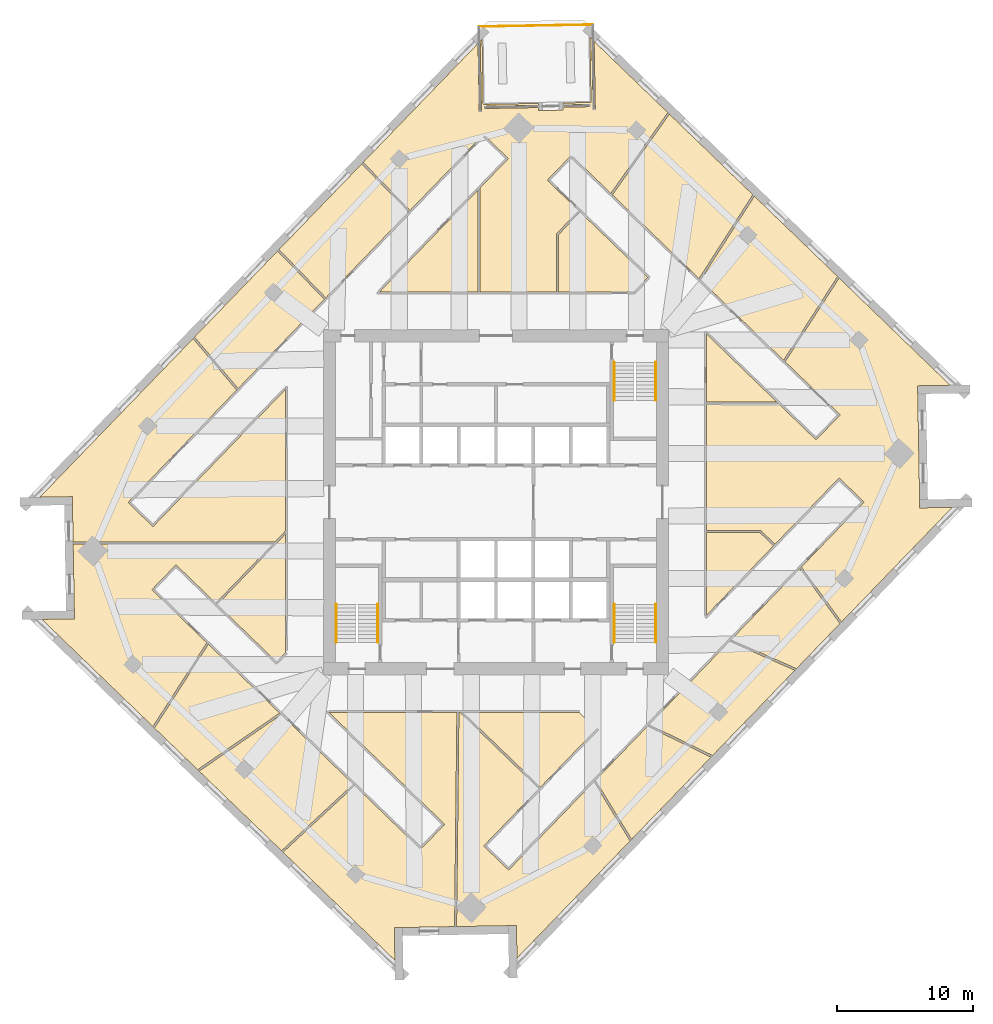
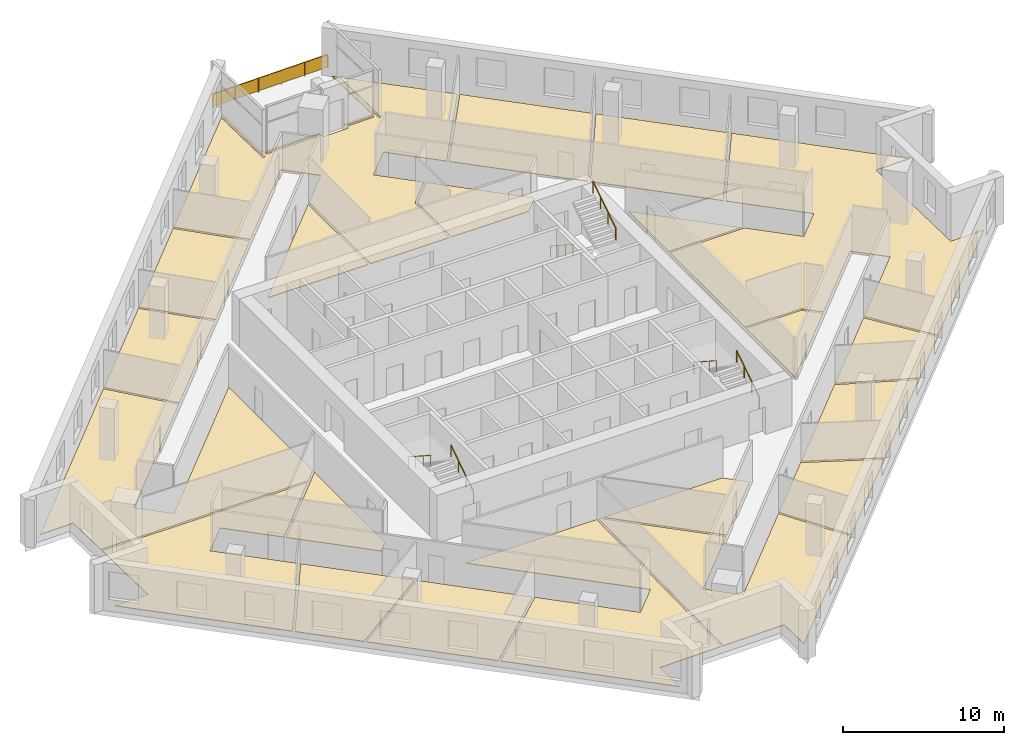
# One storey, part 12 of 13: 21 coverings, 7 railings.
"""IFC4 building model written with IfcOpenShell, lengths in metres."""

from ifc_helpers import new_model, si_unit, direction, frame, origin, origin_2d, place, context, subcontext, project, spatial, polyline, rectangle, circle, outline, extrude, material, layer, layer_set, type_object, element, save


model = new_model("IFC4")

# Units and contexts
model_context = context("Model", 3, precision=1e-05, world=origin(), true_north=direction((0.0, 1.0)))
body_context = subcontext(model_context, "Body", "Model", "MODEL_VIEW")
ifc_project = project(units=[si_unit("LENGTHUNIT", "METRE"), si_unit("AREAUNIT", "SQUARE_METRE"), si_unit("VOLUMEUNIT", "CUBIC_METRE"), si_unit("PLANEANGLEUNIT", "RADIAN"), si_unit("MASSUNIT", "GRAM", prefix="KILO")], contexts=[model_context])

# Site, building, storey
site_placement = place(None, origin())
site = spatial("IfcSite", under=ifc_project, at=site_placement, CompositionType="ELEMENT")
building_placement = place(site_placement, origin())
building = spatial("IfcBuilding", under=site, at=building_placement, Name="Dilmun Exchange Tower", CompositionType="ELEMENT")
storey_placement = place(building_placement, frame((0.0, 0.0, 209.300048828125)))
storey = spatial("IfcBuildingStorey", under=building, at=storey_placement, Name="L49", CompositionType="ELEMENT", Elevation=209.300048828125)

# Coverings
ifc_material_1 = material(Name="Carpet floor finish 50")
ifc_layer_1 = layer(ifc_material_1, 0.050048828125)
ifc_layer_set_1 = layer_set([ifc_layer_1], Name="Carpet floor finish 50")
covering_type_1 = type_object("IfcCoveringType", Name="Carpet floor finish 50", PredefinedType="FLOORING", material=ifc_layer_set_1)
covering_1_placement = place(storey_placement, origin())
element("IfcCovering", 1, at=covering_1_placement, inside=storey, type_object=covering_type_1, Name="Carpet floor finish 50 Members library", PredefinedType="FLOORING", context=body_context, shape_type="SweptSolid", body=[
    extrude(outline(polyline([(-23.539794921875, -4.594482421875), (-25.311279296875, -6.428955078125), (-21.268310546875, -10.333251953125), (-25.23681640625, -16.497314453125), (-33.4033203125, -8.61083984375), (-31.010498046875, -8.569091796875), (-31.01025390625, -8.569091796875), (-31.010009765625, -8.569091796875), (-31.010009765625, -8.569091796875), (-31.009765625, -8.569091796875), (-31.009521484375, -8.56884765625), (-31.009521484375, -8.56884765625), (-31.00927734375, -8.568603515625), (-31.009033203125, -8.568603515625), (-31.009033203125, -8.568359375), (-31.0087890625, -8.568115234375), (-31.0087890625, -8.568115234375), (-31.0087890625, -8.56787109375), (-31.008544921875, -8.567626953125), (-31.008544921875, -8.5673828125), (-31.008544921875, -8.5673828125), (-31.008544921875, -8.567138671875), (-31.01904296875, -7.96728515625), (-31.01904296875, -7.967041015625), (-31.01904296875, -7.967041015625), (-31.1044921875, -3.06982421875), (-16.412353515625, -3.06982421875), (-20.61376953125, -7.42041015625), (-23.539794921875, -4.594482421875)])), origin(), (0.0, 0.0, 1.0), 0.050048828125),
])
covering_2_placement = place(storey_placement, origin())
element("IfcCovering", 2, at=covering_2_placement, inside=storey, type_object=covering_type_1, Name="Carpet floor finish 50 Club dining room", PredefinedType="FLOORING", context=body_context, shape_type="SweptSolid", body=[
    extrude(outline(polyline([(-16.267333984375, -2.919921875), (-31.107177734375, -2.919921875), (-31.15478515625, -0.190185546875), (-31.15478515625, -0.18994140625), (-31.15478515625, -0.18994140625), (-31.165283203125, 0.40966796875), (-31.165283203125, 0.409912109375), (-31.165283203125, 0.41015625), (-31.165283203125, 0.410400390625), (-31.165283203125, 0.410400390625), (-31.16552734375, 0.41064453125), (-31.16552734375, 0.410888671875), (-31.165771484375, 0.410888671875), (-31.165771484375, 0.4111328125), (-31.166015625, 0.4111328125), (-31.166259765625, 0.411376953125), (-31.166259765625, 0.411376953125), (-31.16650390625, 0.41162109375), (-31.166748046875, 0.41162109375), (-31.1669921875, 0.41162109375), (-31.1669921875, 0.41162109375), (-31.167236328125, 0.41162109375), (-33.559814453125, 0.369873046875), (-22.28515625, 12.04541015625), (-19.07421875, 8.2578125), (-27.06640625, -0.01806640625), (-25.23193359375, -1.78955078125), (-15.47509765625, 8.314208984375), (-15.47509765625, -2.09912109375), (-16.267333984375, -2.919921875)])), origin(), (0.0, 0.0, 1.0), 0.050048828125),
])
covering_3_placement = place(storey_placement, origin())
element("IfcCovering", 3, at=covering_3_placement, inside=storey, type_object=covering_type_1, Name="Carpet floor finish 50 Meeting room 1", PredefinedType="FLOORING", context=body_context, shape_type="SweptSolid", body=[
    extrude(outline(polyline([(-21.158203125, -10.439453125), (-15.913818359375, -15.50390625), (-21.94970703125, -19.67138671875), (-25.126708984375, -16.603515625), (-21.158203125, -10.439453125)])), origin(), (0.0, 0.0, 1.0), 0.050048828125),
])
covering_4_placement = place(storey_placement, origin())
element("IfcCovering", 4, at=covering_4_placement, inside=storey, type_object=covering_type_1, Name="Carpet floor finish 50 Meeting room 2", PredefinedType="FLOORING", context=body_context, shape_type="SweptSolid", body=[
    extrude(outline(polyline([(-12.62939453125, 14.931884765625), (-18.969482421875, 8.3662109375), (-22.180419921875, 12.15380859375), (-16.069091796875, 18.482421875), (-12.62939453125, 14.931884765625)])), origin(), (0.0, 0.0, 1.0), 0.050048828125),
])
covering_5_placement = place(storey_placement, origin())
element("IfcCovering", 5, at=covering_5_placement, inside=storey, type_object=covering_type_1, Name="Carpet floor finish 50 Business centre 1", PredefinedType="FLOORING", context=body_context, shape_type="SweptSolid", body=[
    extrude(outline(polyline([(-10.498291015625, -20.733642578125), (-15.776611328125, -25.6328125), (-21.839599609375, -19.77783203125), (-15.803955078125, -15.610107421875), (-10.498291015625, -20.733642578125)])), origin(), (0.0, 0.0, 1.0), 0.050048828125),
])
covering_6_placement = place(storey_placement, origin())
element("IfcCovering", 6, at=covering_6_placement, inside=storey, type_object=covering_type_1, Name="Carpet floor finish 50 Serviced office 1", PredefinedType="FLOORING", context=body_context, shape_type="SweptSolid", body=[
    extrude(outline(polyline([(-6.427490234375, 21.35400390625), (-12.525146484375, 15.039794921875), (-15.964599609375, 18.59033203125), (-9.87890625, 24.892578125), (-6.427490234375, 21.35400390625)])), origin(), (0.0, 0.0, 1.0), 0.050048828125),
])
covering_7_placement = place(storey_placement, origin())
element("IfcCovering", 7, at=covering_7_placement, inside=storey, type_object=covering_type_1, Name="Carpet floor finish 50 Members lounge", PredefinedType="FLOORING", context=body_context, shape_type="SweptSolid", body=[
    extrude(outline(polyline([(-10.39013671875, -20.837890625), (-5.54150390625, -25.520263671875), (-3.770263671875, -23.68603515625), (-12.27294921875, -15.47509765625), (-2.879638671875, -15.47509765625), (-3.04931640625, -31.211181640625), (-6.8798828125, -31.278076171875), (-6.8798828125, -31.2783203125), (-6.8798828125, -31.2783203125), (-7.479736328125, -31.28857421875), (-7.47998046875, -31.28857421875), (-7.47998046875, -31.288818359375), (-7.480224609375, -31.288818359375), (-7.48046875, -31.288818359375), (-7.480712890625, -31.288818359375), (-7.480712890625, -31.2890625), (-7.48095703125, -31.2890625), (-7.481201171875, -31.289306640625), (-7.481201171875, -31.289306640625), (-7.481201171875, -31.28955078125), (-7.4814453125, -31.289794921875), (-7.4814453125, -31.289794921875), (-7.481689453125, -31.2900390625), (-7.481689453125, -31.290283203125), (-7.481689453125, -31.29052734375), (-7.481689453125, -31.290771484375), (-7.43994140625, -33.683349609375), (-15.66845703125, -25.737060546875), (-10.39013671875, -20.837890625)])), origin(), (0.0, 0.0, 1.0), 0.050048828125),
])
covering_8_placement = place(storey_placement, origin())
element("IfcCovering", 8, at=covering_8_placement, inside=storey, type_object=covering_type_1, Name="Carpet floor finish 50 Garden lounge", PredefinedType="FLOORING", context=body_context, shape_type="SweptSolid", body=[
    extrude(outline(polyline([(0.90771484375, 25.279052734375), (-0.926513671875, 27.05029296875), (-6.3232421875, 21.4619140625), (-9.774658203125, 25.00048828125), (-1.32470703125, 33.75048828125), (-1.2373046875, 28.73828125), (-1.2373046875, 28.738037109375), (-1.2373046875, 28.73779296875), (-1.2373046875, 28.737548828125), (-1.237060546875, 28.7373046875), (-1.237060546875, 28.7373046875), (-1.23681640625, 28.737060546875), (-1.23681640625, 28.73681640625), (-1.23681640625, 28.73681640625), (-1.236572265625, 28.736572265625), (-1.236328125, 28.736572265625), (-1.236083984375, 28.736328125), (-1.236083984375, 28.736328125), (-1.23583984375, 28.736328125), (-1.235595703125, 28.736083984375), (-1.2353515625, 28.736083984375), (-1.2353515625, 28.736083984375), (-1.0751953125, 28.739013671875), (-1.0751953125, 28.739013671875), (-1.074951171875, 28.739013671875), (-1.07470703125, 28.739013671875), (-1.074462890625, 28.7392578125), (-1.07421875, 28.7392578125), (-1.07421875, 28.739501953125), (-1.073974609375, 28.739501953125), (-1.073974609375, 28.739501953125), (-1.07373046875, 28.73974609375), (-1.073486328125, 28.739990234375), (-1.073486328125, 28.739990234375), (-1.073486328125, 28.740234375), (-1.073486328125, 28.740478515625), (-1.0732421875, 28.740478515625), (-1.0732421875, 28.74072265625), (-1.0732421875, 28.740966796875), (-1.163818359375, 33.91748046875), (-1.023193359375, 34.062744140625), (-0.939453125, 29.268310546875), (3.1220703125, 29.33935546875), (3.12451171875, 29.1962890625), (-0.862060546875, 29.126708984375), (-0.8623046875, 29.126708984375), (-0.8623046875, 29.126708984375), (-0.862548828125, 29.126708984375), (-0.86279296875, 29.12646484375), (-0.863037109375, 29.12646484375), (-0.863037109375, 29.126220703125), (-0.86328125, 29.126220703125), (-0.86328125, 29.126220703125), (-0.863525390625, 29.1259765625), (-0.86376953125, 29.125732421875), (-0.86376953125, 29.12548828125), (-0.864013671875, 29.12548828125), (-0.864013671875, 29.125244140625), (-0.864013671875, 29.125), (-0.864013671875, 29.124755859375), (-0.864013671875, 29.124755859375), (-0.861083984375, 28.964599609375), (-0.861083984375, 28.964599609375), (-0.861083984375, 28.96435546875), (-0.861083984375, 28.964111328125), (-0.861083984375, 28.9638671875), (-0.86083984375, 28.963623046875), (-0.86083984375, 28.963623046875), (-0.860595703125, 28.96337890625), (-0.860595703125, 28.96337890625), (-0.8603515625, 28.963134765625), (-0.8603515625, 28.962890625), (-0.860107421875, 28.962890625), (-0.85986328125, 28.962890625), (-0.859619140625, 28.962890625), (-0.859619140625, 28.962646484375), (-0.859375, 28.962646484375), (-0.859130859375, 28.962646484375), (3.127197265625, 29.032470703125), (3.131103515625, 28.814453125), (3.131103515625, 28.814208984375), (3.131103515625, 28.81396484375), (3.131103515625, 28.813720703125), (3.13134765625, 28.813720703125), (3.13134765625, 28.8134765625), (3.131591796875, 28.813232421875), (3.131591796875, 28.813232421875), (3.131591796875, 28.81298828125), (3.1318359375, 28.81298828125), (3.132080078125, 28.812744140625), (3.132080078125, 28.812744140625), (3.13232421875, 28.8125), (3.132568359375, 28.8125), (3.1328125, 28.8125), (3.133056640625, 28.8125), (3.13330078125, 28.8125), (4.932861328125, 28.84375), (4.93310546875, 28.843994140625), (4.933349609375, 28.843994140625), (4.933349609375, 28.843994140625), (4.93359375, 28.843994140625), (4.933837890625, 28.843994140625), (4.93408203125, 28.84423828125), (4.93408203125, 28.84423828125), (4.934326171875, 28.844482421875), (4.934326171875, 28.844482421875), (4.9345703125, 28.8447265625), (4.9345703125, 28.844970703125), (4.934814453125, 28.84521484375), (4.934814453125, 28.84521484375), (4.934814453125, 28.845458984375), (4.934814453125, 28.845703125), (4.934814453125, 28.845947265625), (4.930908203125, 29.063720703125), (6.917724609375, 29.098388671875), (6.91796875, 29.098388671875), (6.918212890625, 29.0986328125), (6.91845703125, 29.0986328125), (6.918701171875, 29.0986328125), (6.918701171875, 29.098876953125), (6.9189453125, 29.098876953125), (6.919189453125, 29.09912109375), (6.919189453125, 29.09912109375), (6.91943359375, 29.099365234375), (6.91943359375, 29.099365234375), (6.919677734375, 29.099609375), (6.919677734375, 29.099853515625), (6.919677734375, 29.10009765625), (6.919921875, 29.10009765625), (6.919921875, 29.100341796875), (6.919921875, 29.1005859375), (6.9169921875, 29.260498046875), (6.9169921875, 29.2607421875), (6.9169921875, 29.260986328125), (6.9169921875, 29.260986328125), (6.916748046875, 29.26123046875), (6.916748046875, 29.261474609375), (6.91650390625, 29.26171875), (6.91650390625, 29.26171875), (6.91650390625, 29.261962890625), (6.916259765625, 29.26220703125), (6.916015625, 29.26220703125), (6.916015625, 29.26220703125), (6.915771484375, 29.26220703125), (6.91552734375, 29.262451171875), (6.915283203125, 29.262451171875), (6.915283203125, 29.262451171875), (6.9150390625, 29.262451171875), (4.92822265625, 29.227783203125), (4.92578125, 29.370849609375), (6.987548828125, 29.40673828125), (6.90380859375, 34.201171875), (7.04931640625, 34.060546875), (7.1396484375, 28.884521484375), (7.1396484375, 28.88427734375), (7.1396484375, 28.884033203125), (7.1396484375, 28.8837890625), (7.139892578125, 28.883544921875), (7.139892578125, 28.88330078125), (7.139892578125, 28.88330078125), (7.14013671875, 28.883056640625), (7.14013671875, 28.883056640625), (7.140380859375, 28.8828125), (7.140380859375, 28.8828125), (7.140625, 28.882568359375), (7.140869140625, 28.882568359375), (7.14111328125, 28.882568359375), (7.141357421875, 28.88232421875), (7.1416015625, 28.88232421875), (7.1416015625, 28.88232421875), (7.301513671875, 28.88525390625), (7.3017578125, 28.88525390625), (7.302001953125, 28.88525390625), (7.30224609375, 28.88525390625), (7.302490234375, 28.885498046875), (7.302490234375, 28.885498046875), (7.302734375, 28.885498046875), (7.302978515625, 28.8857421875), (7.302978515625, 28.8857421875), (7.30322265625, 28.885986328125), (7.30322265625, 28.885986328125), (7.303466796875, 28.88623046875), (7.303466796875, 28.886474609375), (7.303466796875, 28.88671875), (7.3037109375, 28.88671875), (7.3037109375, 28.886962890625), (7.3037109375, 28.88720703125), (7.216064453125, 33.8994140625), (12.639892578125, 28.661865234375), (8.444580078125, 22.716796875), (5.54150390625, 25.520263671875), (3.770263671875, 23.68603515625), (6.08740234375, 21.4482421875), (4.459228515625, 19.762451171875), (4.459228515625, 15.47509765625), (-1.1845703125, 15.47509765625), (-1.1845703125, 23.1123046875), (0.90771484375, 25.279052734375)])), origin(), (0.0, 0.0, 1.0), 0.050048828125),
])
covering_9_placement = place(storey_placement, origin())
element("IfcCovering", 9, at=covering_9_placement, inside=storey, type_object=covering_type_1, Name="Carpet floor finish 50 Cafe", PredefinedType="FLOORING", context=body_context, shape_type="SweptSolid", body=[
    extrude(outline(polyline([(7.2001953125, -20.553955078125), (9.8662109375, -24.905517578125), (1.541015625, -33.526611328125), (1.499267578125, -31.1337890625), (1.4990234375, -31.1337890625), (1.4990234375, -31.133544921875), (1.4990234375, -31.13330078125), (1.4990234375, -31.13330078125), (1.498779296875, -31.133056640625), (1.498779296875, -31.1328125), (1.498779296875, -31.1328125), (1.49853515625, -31.132568359375), (1.498291015625, -31.13232421875), (1.498291015625, -31.13232421875), (1.498046875, -31.132080078125), (1.497802734375, -31.132080078125), (1.497802734375, -31.132080078125), (1.49755859375, -31.132080078125), (1.497314453125, -31.132080078125), (1.4970703125, -31.132080078125), (0.897216796875, -31.142333984375), (0.89697265625, -31.142333984375), (0.89697265625, -31.142578125), (-2.8994140625, -31.208740234375), (-2.729736328125, -15.47509765625), (-2.629638671875, -15.47509765625), (3.160400390625, -21.06640625), (-0.90771484375, -25.279052734375), (0.926513671875, -27.05029296875), (7.2001953125, -20.553955078125)])), origin(), (0.0, 0.0, 1.0), 0.050048828125),
])
covering_10_placement = place(storey_placement, origin())
element("IfcCovering", 10, at=covering_10_placement, inside=storey, type_object=covering_type_1, Name="Carpet floor finish 50 Business centre 2", PredefinedType="FLOORING", context=body_context, shape_type="SweptSolid", body=[
    extrude(outline(polyline([(10.147705078125, 15.47509765625), (4.609130859375, 15.47509765625), (4.609130859375, 19.701904296875), (6.1953125, 21.343994140625), (11.17333984375, 16.536865234375), (10.147705078125, 15.47509765625)])), origin(), (0.0, 0.0, 1.0), 0.050048828125),
])
covering_11_placement = place(storey_placement, origin())
element("IfcCovering", 11, at=covering_11_placement, inside=storey, type_object=covering_type_1, Name="Carpet floor finish 50 Serviced office 2", PredefinedType="FLOORING", context=body_context, shape_type="SweptSolid", body=[
    extrude(outline(polyline([(15.81591796875, -18.74462890625), (9.973876953125, -24.794189453125), (7.307861328125, -20.4423828125), (11.14599609375, -16.4677734375), (15.81591796875, -18.74462890625)])), origin(), (0.0, 0.0, 1.0), 0.050048828125),
])
covering_12_placement = place(storey_placement, origin())
element("IfcCovering", 12, at=covering_12_placement, inside=storey, type_object=covering_type_1, Name="Carpet floor finish 50 Serviced office 3", PredefinedType="FLOORING", context=body_context, shape_type="SweptSolid", body=[
    extrude(outline(polyline([(14.931396484375, 16.45263671875), (8.5537109375, 22.611328125), (12.7490234375, 28.556396484375), (18.89306640625, 22.623291015625), (14.931396484375, 16.45263671875)])), origin(), (0.0, 0.0, 1.0), 0.050048828125),
])
covering_13_placement = place(storey_placement, origin())
element("IfcCovering", 13, at=covering_13_placement, inside=storey, type_object=covering_type_1, Name="Carpet floor finish 50 Serviced office 4", PredefinedType="FLOORING", context=body_context, shape_type="SweptSolid", body=[
    extrude(outline(polyline([(11.255615234375, -16.354248046875), (17.171630859375, -10.22802734375), (21.986572265625, -12.3544921875), (15.92529296875, -18.631103515625), (11.255615234375, -16.354248046875)])), origin(), (0.0, 0.0, 1.0), 0.050048828125),
])
covering_14_placement = place(storey_placement, origin())
element("IfcCovering", 14, at=covering_14_placement, inside=storey, type_object=covering_type_1, Name="Carpet floor finish 50 Business centre 3", PredefinedType="FLOORING", context=body_context, shape_type="SweptSolid", body=[
    extrude(outline(polyline([(15.47509765625, -2.2373046875), (19.42333984375, -2.2373046875), (20.416748046875, -3.19677734375), (15.47509765625, -8.314208984375), (15.47509765625, -2.2373046875)])), origin(), (0.0, 0.0, 1.0), 0.050048828125),
])
covering_15_placement = place(storey_placement, origin())
element("IfcCovering", 15, at=covering_15_placement, inside=storey, type_object=covering_type_1, Name="Carpet floor finish 50 Business centre 4", PredefinedType="FLOORING", context=body_context, shape_type="SweptSolid", body=[
    extrude(outline(polyline([(17.28271484375, -10.113037109375), (22.345703125, -4.870361328125), (25.30419921875, -8.9189453125), (22.097412109375, -12.239501953125), (17.28271484375, -10.113037109375)])), origin(), (0.0, 0.0, 1.0), 0.050048828125),
])
covering_16_placement = place(storey_placement, origin())
element("IfcCovering", 16, at=covering_16_placement, inside=storey, type_object=covering_type_1, Name="Carpet floor finish 50 Co-working hall", PredefinedType="FLOORING", context=body_context, shape_type="SweptSolid", body=[
    extrude(outline(polyline([(23.539794921875, 4.594482421875), (25.311279296875, 6.428955078125), (21.2626953125, 10.338623046875), (25.236328125, 16.497802734375), (33.4033203125, 8.61083984375), (31.010498046875, 8.569091796875), (31.01025390625, 8.569091796875), (31.010009765625, 8.569091796875), (31.010009765625, 8.569091796875), (31.009765625, 8.569091796875), (31.009521484375, 8.56884765625), (31.009521484375, 8.56884765625), (31.00927734375, 8.568603515625), (31.009033203125, 8.568603515625), (31.009033203125, 8.568359375), (31.0087890625, 8.568115234375), (31.0087890625, 8.568115234375), (31.0087890625, 8.56787109375), (31.008544921875, 8.567626953125), (31.008544921875, 8.5673828125), (31.008544921875, 8.5673828125), (31.008544921875, 8.567138671875), (31.01904296875, 7.96728515625), (31.01904296875, 7.967041015625), (31.01904296875, 7.967041015625), (31.15478515625, 0.190185546875), (31.15478515625, 0.18994140625), (31.15478515625, 0.18994140625), (31.165283203125, -0.40966796875), (31.165283203125, -0.409912109375), (31.165283203125, -0.41015625), (31.165283203125, -0.410400390625), (31.165283203125, -0.410400390625), (31.16552734375, -0.41064453125), (31.16552734375, -0.410888671875), (31.165771484375, -0.410888671875), (31.165771484375, -0.4111328125), (31.166015625, -0.4111328125), (31.166259765625, -0.411376953125), (31.166259765625, -0.411376953125), (31.16650390625, -0.41162109375), (31.166748046875, -0.41162109375), (31.1669921875, -0.41162109375), (31.1669921875, -0.41162109375), (31.167236328125, -0.41162109375), (33.559814453125, -0.369873046875), (25.409912109375, -8.809326171875), (22.451416015625, -4.7607421875), (27.06640625, 0.01806640625), (25.23193359375, 1.78955078125), (20.52099609375, -3.0888671875), (19.48388671875, -2.087158203125), (15.47509765625, -2.087158203125), (15.47509765625, 7.21826171875), (20.822998046875, 7.21826171875), (23.539794921875, 4.594482421875)])), origin(), (0.0, 0.0, 1.0), 0.050048828125),
])

# Railings
ifc_material_2 = material(Name="Stainless steel", Category="steel")
railing_type_1 = type_object("IfcRailingType", Name="Stair handrail 900", PredefinedType="HANDRAIL", material=ifc_material_2)
railing_1_placement = place(storey_placement, frame((8.699951171875, 10.300048828125, 0.181884765625)))
element("IfcRailing", 17, at=railing_1_placement, inside=storey, type_object=railing_type_1, Name="L49 ST1 stair handrail 1", PredefinedType="HANDRAIL", context=body_context, shape_type="SweptSolid", body=[
    extrude(circle(Radius=0.02392578125, at=origin_2d()), frame((0.0, 0.0, 0.8759765625), z_axis=(0.0, -0.838705829183, 0.544584733623), x_axis=(1.0, 0.0, 0.0)), (0.0, 0.0, 1.0), 3.338623046875),
    extrude(circle(Radius=0.02099609375, at=origin_2d()), origin(), (0.0, 0.0, 1.0), 0.851806640625),
    extrude(circle(Radius=0.02099609375, at=origin_2d()), frame((0.0, -0.933349609375, 0.60595703125)), (0.0, 0.0, 1.0), 0.851806640625),
    extrude(circle(Radius=0.02099609375, at=origin_2d()), frame((0.0, -1.86669921875, 1.212158203125)), (0.0, 0.0, 1.0), 0.851806640625),
    extrude(circle(Radius=0.02099609375, at=origin_2d()), frame((0.0, -2.800048828125, 1.818115234375)), (0.0, 0.0, 1.0), 0.851806640625),
])
for number, where, name in (
    (18, (11.75, 7.5, 2.181884765625), "L49 ST1 stair handrail 2"),
    (19, (-8.699951171875, -10.300048828125, 0.181884765625), "L49 ST2 stair handrail 1"),
):
    element("IfcRailing", number, at=place(storey_placement, frame(where)), inside=storey, type_object=railing_type_1, Name=name, PredefinedType="HANDRAIL", context=body_context, shape_type="SweptSolid", body=[
        extrude(circle(Radius=0.02392578125, at=origin_2d()), frame((0.0, 0.0, 0.8759765625), z_axis=(0.0, 0.838705829183, 0.544584733623), x_axis=(-1.0, 0.0, 0.0)), (0.0, 0.0, 1.0), 3.338623046875),
        extrude(circle(Radius=0.02099609375, at=origin_2d()), origin(), (0.0, 0.0, 1.0), 0.851806640625),
        extrude(circle(Radius=0.02099609375, at=origin_2d()), frame((0.0, 0.933349609375, 0.60595703125)), (0.0, 0.0, 1.0), 0.851806640625),
        extrude(circle(Radius=0.02099609375, at=origin_2d()), frame((0.0, 1.86669921875, 1.212158203125)), (0.0, 0.0, 1.0), 0.851806640625),
        extrude(circle(Radius=0.02099609375, at=origin_2d()), frame((0.0, 2.800048828125, 1.818115234375)), (0.0, 0.0, 1.0), 0.851806640625),
    ])
railing_2_placement = place(storey_placement, frame((-11.75, -7.5, 2.181884765625)))
element("IfcRailing", 20, at=railing_2_placement, inside=storey, type_object=railing_type_1, Name="L49 ST2 stair handrail 2", PredefinedType="HANDRAIL", context=body_context, shape_type="SweptSolid", body=[
    extrude(circle(Radius=0.02392578125, at=origin_2d()), frame((0.0, 0.0, 0.8759765625), z_axis=(0.0, -0.838705829183, 0.544584733623), x_axis=(1.0, 0.0, 0.0)), (0.0, 0.0, 1.0), 3.338623046875),
    extrude(circle(Radius=0.02099609375, at=origin_2d()), origin(), (0.0, 0.0, 1.0), 0.851806640625),
    extrude(circle(Radius=0.02099609375, at=origin_2d()), frame((0.0, -0.933349609375, 0.60595703125)), (0.0, 0.0, 1.0), 0.851806640625),
    extrude(circle(Radius=0.02099609375, at=origin_2d()), frame((0.0, -1.86669921875, 1.212158203125)), (0.0, 0.0, 1.0), 0.851806640625),
    extrude(circle(Radius=0.02099609375, at=origin_2d()), frame((0.0, -2.800048828125, 1.818115234375)), (0.0, 0.0, 1.0), 0.851806640625),
])
railing_3_placement = place(storey_placement, frame((11.75, -10.300048828125, 0.181884765625)))
element("IfcRailing", 21, at=railing_3_placement, inside=storey, type_object=railing_type_1, Name="L49 ST3 stair handrail 1", PredefinedType="HANDRAIL", context=body_context, shape_type="SweptSolid", body=[
    extrude(circle(Radius=0.02392578125, at=origin_2d()), frame((0.0, 0.0, 0.8759765625), z_axis=(0.0, 0.838705829183, 0.544584733623), x_axis=(-1.0, 0.0, 0.0)), (0.0, 0.0, 1.0), 3.338623046875),
    extrude(circle(Radius=0.02099609375, at=origin_2d()), origin(), (0.0, 0.0, 1.0), 0.851806640625),
    extrude(circle(Radius=0.02099609375, at=origin_2d()), frame((0.0, 0.933349609375, 0.60595703125)), (0.0, 0.0, 1.0), 0.851806640625),
    extrude(circle(Radius=0.02099609375, at=origin_2d()), frame((0.0, 1.86669921875, 1.212158203125)), (0.0, 0.0, 1.0), 0.851806640625),
    extrude(circle(Radius=0.02099609375, at=origin_2d()), frame((0.0, 2.800048828125, 1.818115234375)), (0.0, 0.0, 1.0), 0.851806640625),
])
railing_4_placement = place(storey_placement, frame((8.699951171875, -7.5, 2.181884765625)))
element("IfcRailing", 22, at=railing_4_placement, inside=storey, type_object=railing_type_1, Name="L49 ST3 stair handrail 2", PredefinedType="HANDRAIL", context=body_context, shape_type="SweptSolid", body=[
    extrude(circle(Radius=0.02392578125, at=origin_2d()), frame((0.0, 0.0, 0.8759765625), z_axis=(0.0, -0.838705829183, 0.544584733623), x_axis=(1.0, 0.0, 0.0)), (0.0, 0.0, 1.0), 3.338623046875),
    extrude(circle(Radius=0.02099609375, at=origin_2d()), origin(), (0.0, 0.0, 1.0), 0.851806640625),
    extrude(circle(Radius=0.02099609375, at=origin_2d()), frame((0.0, -0.933349609375, 0.60595703125)), (0.0, 0.0, 1.0), 0.851806640625),
    extrude(circle(Radius=0.02099609375, at=origin_2d()), frame((0.0, -1.86669921875, 1.212158203125)), (0.0, 0.0, 1.0), 0.851806640625),
    extrude(circle(Radius=0.02099609375, at=origin_2d()), frame((0.0, -2.800048828125, 1.818115234375)), (0.0, 0.0, 1.0), 0.851806640625),
])

# Coverings
ifc_material_3 = material(Name="Stone floor finish 50", Category="masonry")
ifc_layer_2 = layer(ifc_material_3, 0.050048828125)
ifc_layer_set_2 = layer_set([ifc_layer_2], Name="Stone floor finish 50")
covering_type_2 = type_object("IfcCoveringType", Name="Stone floor finish 50", PredefinedType="FLOORING", material=ifc_layer_set_2)
covering_17_placement = place(storey_placement, origin())
element("IfcCovering", 23, at=covering_17_placement, inside=storey, type_object=covering_type_2, Name="Stone floor finish 50 Reception 1", PredefinedType="FLOORING", context=body_context, shape_type="SweptSolid", body=[
    extrude(outline(polyline([(-1.334716796875, 22.95703125), (-1.334716796875, 15.47509765625), (-8.559814453125, 15.47509765625), (-1.334716796875, 22.95703125)])), origin(), (0.0, 0.0, 1.0), 0.050048828125),
])
covering_18_placement = place(storey_placement, origin())
element("IfcCovering", 24, at=covering_18_placement, inside=storey, type_object=covering_type_2, Name="Stone floor finish 50 Reception 2", PredefinedType="FLOORING", context=body_context, shape_type="SweptSolid", body=[
    extrude(outline(polyline([(7.382568359375, -16.694091796875), (3.264404296875, -20.95849609375), (-2.413818359375, -15.47509765625), (6.119873046875, -15.47509765625), (7.382568359375, -16.694091796875)])), origin(), (0.0, 0.0, 1.0), 0.050048828125),
])
covering_19_placement = place(storey_placement, origin())
element("IfcCovering", 25, at=covering_19_placement, inside=storey, type_object=covering_type_2, Name="Stone floor finish 50 Reception 3", PredefinedType="FLOORING", context=body_context, shape_type="SweptSolid", body=[
    extrude(outline(polyline([(20.667724609375, 7.368408203125), (15.47509765625, 7.368408203125), (15.47509765625, 12.3828125), (20.667724609375, 7.368408203125)])), origin(), (0.0, 0.0, 1.0), 0.050048828125),
])
covering_20_placement = place(storey_placement, origin())
element("IfcCovering", 26, at=covering_20_placement, inside=storey, type_object=covering_type_2, Name="Stone floor finish 50 Reception 4", PredefinedType="FLOORING", context=body_context, shape_type="SweptSolid", body=[
    extrude(outline(polyline([(21.152587890625, 10.44482421875), (15.04150390625, 16.346435546875), (19.0029296875, 22.51708984375), (25.126220703125, 16.60400390625), (21.152587890625, 10.44482421875)])), origin(), (0.0, 0.0, 1.0), 0.050048828125),
])

# Railing
railing_type_2 = type_object("IfcRailingType", Name="Terrace guard 1100 stainless steel", PredefinedType="GUARDRAIL", material=ifc_material_2)
railing_5_placement = place(storey_placement, frame((-1.264404296875, 34.985107421875, 0.0)))
element("IfcRailing", 27, at=railing_5_placement, inside=storey, type_object=railing_type_2, Name="Terrace guard 1", PredefinedType="GUARDRAIL", context=body_context, shape_type="SweptSolid", body=[
    extrude(circle(Radius=0.02392578125, at=origin_2d()), frame((0.0, 0.0, 1.076171875), z_axis=(0.999847653553, 0.017454789709, 0.0), x_axis=(-0.017454789709, 0.999847653553, 0.0)), (0.0, 0.0, 1.0), 8.378173828125),
    extrude(rectangle(XDim=0.011962890625, YDim=0.951904296875, at=origin_2d()), frame((0.0, 0.0, 0.576171875), z_axis=(0.999847653553, 0.017454789709, 0.0), x_axis=(-0.017454789709, 0.999847653553, 0.0)), (0.0, 0.0, 1.0), 8.378173828125),
    extrude(circle(Radius=0.02099609375, at=origin_2d()), origin(), (0.0, 0.0, 1.0), 1.052001953125),
    extrude(circle(Radius=0.02099609375, at=origin_2d()), frame((1.67529296875, 0.029296875, 0.0)), (0.0, 0.0, 1.0), 1.052001953125),
    extrude(circle(Radius=0.02099609375, at=origin_2d()), frame((3.350830078125, 0.05859375, 0.0)), (0.0, 0.0, 1.0), 1.052001953125),
    extrude(circle(Radius=0.02099609375, at=origin_2d()), frame((5.026123046875, 0.087646484375, 0.0)), (0.0, 0.0, 1.0), 1.052001953125),
    extrude(circle(Radius=0.02099609375, at=origin_2d()), frame((6.70166015625, 0.116943359375, 0.0)), (0.0, 0.0, 1.0), 1.052001953125),
    extrude(circle(Radius=0.02099609375, at=origin_2d()), frame((8.376953125, 0.146240234375, 0.0)), (0.0, 0.0, 1.0), 1.052001953125),
])

# Covering
ifc_material_4 = material(Name="Tile floor finish 50")
ifc_layer_3 = layer(ifc_material_4, 0.050048828125)
ifc_layer_set_3 = layer_set([ifc_layer_3], Name="Tile floor finish 50")
covering_type_3 = type_object("IfcCoveringType", Name="Tile floor finish 50", PredefinedType="FLOORING", material=ifc_layer_set_3)
covering_21_placement = place(storey_placement, origin())
element("IfcCovering", 28, at=covering_21_placement, inside=storey, type_object=covering_type_3, Name="Tile floor finish 50 Pantry", PredefinedType="FLOORING", context=body_context, shape_type="SweptSolid", body=[
    extrude(outline(polyline([(-16.136962890625, -11.74365234375), (-20.505859375, -7.524658203125), (-15.47509765625, -2.315185546875), (-15.47509765625, -11.05810546875), (-16.136962890625, -11.74365234375)])), origin(), (0.0, 0.0, 1.0), 0.050048828125),
])

save(model, "model.ifc")
